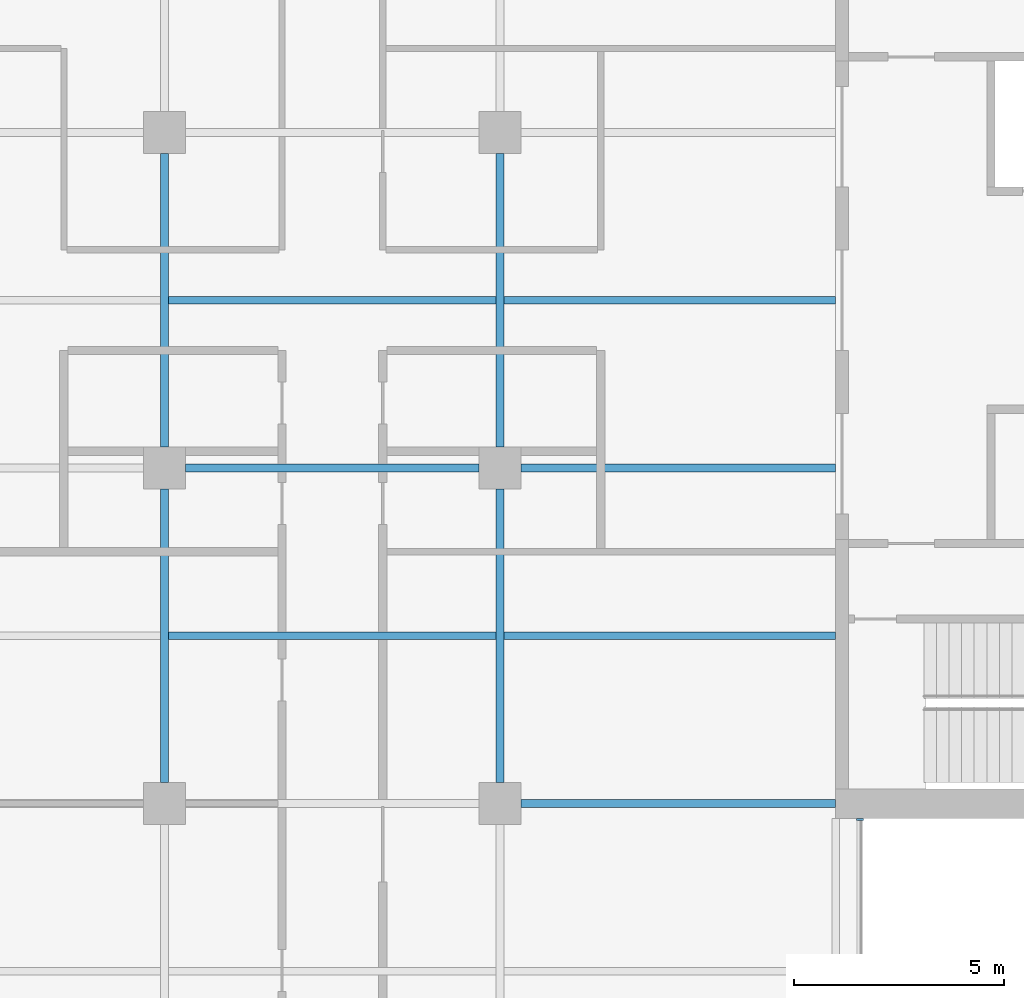
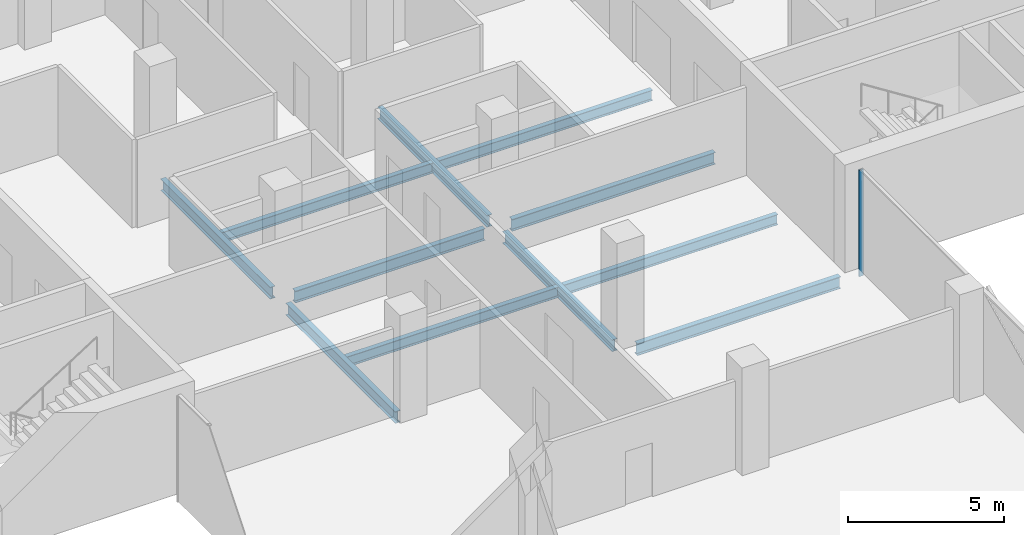
# One storey, part 6 of 22: 11 beams, 1 member, 1 element without a shape of its own.
"""IFC4 building model written with IfcOpenShell, lengths in metres."""

from ifc_helpers import new_model, si_unit, direction, frame, origin, origin_2d, place, context, subcontext, project, spatial, rectangle, i_section, extrude, material, material_profile, profile_set, type_object, element, aggregate, save


model = new_model("IFC4")

# Units and contexts
model_context = context("Model", 3, precision=1e-05, world=origin(), true_north=direction((0.0, 1.0)))
body_context = subcontext(model_context, "Body", "Model", "MODEL_VIEW")
ifc_project = project(units=[si_unit("LENGTHUNIT", "METRE"), si_unit("AREAUNIT", "SQUARE_METRE"), si_unit("VOLUMEUNIT", "CUBIC_METRE"), si_unit("PLANEANGLEUNIT", "RADIAN"), si_unit("MASSUNIT", "GRAM", prefix="KILO")], contexts=[model_context])

# Site, building, storey
site_placement = place(None, origin())
site = spatial("IfcSite", under=ifc_project, at=site_placement, CompositionType="ELEMENT")
building_placement = place(site_placement, origin())
building = spatial("IfcBuilding", under=site, at=building_placement, Name="Crosswind Convention Tower", CompositionType="ELEMENT")
storey_placement = place(building_placement, frame((0.0, 0.0, 154.699951171875)))
storey = spatial("IfcBuildingStorey", under=building, at=storey_placement, Name="L32", CompositionType="ELEMENT", Elevation=154.699951171875)

# Beams
ifc_material_1 = material(Name="Steel S355", Category="steel")
ifc_material_profile_1 = material_profile(ifc_material_1, i_section(OverallWidth=0.19140625, OverallDepth=0.460205078125, WebThickness=0.010009765625, FlangeThickness=0.01611328125, FilletRadius=0.01025390625, at=origin_2d()), Name="UB 457x191x82")
ifc_profile_set_1 = profile_set([ifc_material_profile_1], Name="Steel S355")
beam_type_1 = type_object("IfcBeamType", Name="Girder UB 457x191x82", PredefinedType="BEAM", material=ifc_profile_set_1)
for number, where, z_axis, x_axis, name in (
    (1, (121.0, 88.5, -0.530029296875), (0.0, 1.0, 0.0), (-1.0, 0.0, 0.0), "B3 L32 girder 5"),
    (2, (121.0, 96.5, -0.530029296875), (0.0, 1.0, 0.0), (-1.0, 0.0, 0.0), "B3 L32 girder 6"),
    (3, (121.5, 96.0, -0.530029296875), (1.0, 0.0, 0.0), (0.0, 1.0, 0.0), "B3 L32 girder 12"),
    (4, (129.0, 88.5, -0.530029296875), (0.0, 1.0, 0.0), (-1.0, 0.0, 0.0), "B3 L32 girder 18"),
    (5, (129.0, 96.5, -0.530029296875), (0.0, 1.0, 0.0), (-1.0, 0.0, 0.0), "B3 L32 girder 19"),
):
    element("IfcBeam", number, at=place(storey_placement, frame(where, z_axis=z_axis, x_axis=x_axis)), inside=storey, type_object=beam_type_1, Name=name, PredefinedType="BEAM", context=body_context, shape_type="SweptSolid", body=[
        extrude(i_section(OverallWidth=0.19140625, OverallDepth=0.460205078125, WebThickness=0.010009765625, FlangeThickness=0.01611328125, FilletRadius=0.01025390625, at=origin_2d()), origin(), (0.0, 0.0, 1.0), 7.0),
    ])
ifc_material_profile_2 = material_profile(ifc_material_1, i_section(OverallWidth=0.19189453125, OverallDepth=0.463623046875, WebThickness=0.010498046875, FlangeThickness=0.017578125, FilletRadius=0.01025390625, at=origin_2d()), Name="UB 457x191x90")
ifc_profile_set_2 = profile_set([ifc_material_profile_2], Name="Steel S355")
beam_type_2 = type_object("IfcBeamType", Name="Girder at core wall UB 457x191x90", PredefinedType="BEAM", material=ifc_profile_set_2)
for number, where, z_axis, x_axis, name in (
    (6, (129.5, 88.0, -0.53173828125), (1.0, 0.0, 0.0), (0.0, 1.0, 0.0), "B24 L32 girder at core wall 7"),
    (7, (129.5, 96.0, -0.53173828125), (1.0, 0.0, 0.0), (0.0, 1.0, 0.0), "B24 L32 girder at core wall 8"),
):
    element("IfcBeam", number, at=place(storey_placement, frame(where, z_axis=z_axis, x_axis=x_axis)), inside=storey, type_object=beam_type_2, Name=name, PredefinedType="BEAM", context=body_context, shape_type="SweptSolid", body=[
        extrude(i_section(OverallWidth=0.19189453125, OverallDepth=0.463623046875, WebThickness=0.010498046875, FlangeThickness=0.017578125, FilletRadius=0.01025390625, at=origin_2d()), origin(), (0.0, 0.0, 1.0), 7.5),
    ])

# Curtain wall, member
ifc_material_2 = material(Name="Aluminium unitised curtain wall", Category="aluminium")
curtain_wall_type = type_object("IfcCurtainWallType", Name="CORE END SLOT WALL 160", PredefinedType="USERDEFINED", material=ifc_material_2)
curtain_wall_placement = place(storey_placement, origin())
curtain_wall = element("IfcCurtainWall", 8, at=curtain_wall_placement, inside=storey, type_object=curtain_wall_type, Name="CW6 L32 S-E.1-2 slot", ObjectType="UNITISED", PredefinedType="USERDEFINED")
ifc_material_3 = material(Name="Aluminium mullion", Category="aluminium")
ifc_material_profile_3 = material_profile(ifc_material_3, rectangle(XDim=0.159912109375, YDim=0.050048828125, at=origin_2d()), Name="AL 160X50")
ifc_profile_set_3 = profile_set([ifc_material_profile_3], Name="Aluminium mullion")
member_type = type_object("IfcMemberType", Name="MULLION 50X160", PredefinedType="MULLION", material=ifc_profile_set_3)
member_placement = place(storey_placement, frame((137.580078125, 87.625, -0.300048828125), z_axis=(0.0, 0.0, 1.0), x_axis=(1.0, 0.0, 0.0)))
member = element("IfcMember", 9, at=member_placement, type_object=member_type, Name="CW6 mullion 2", PredefinedType="MULLION", context=body_context, shape_type="SweptSolid", body=[
    extrude(rectangle(XDim=0.159912109375, YDim=0.050048828125, at=origin_2d()), origin(), (0.0, 0.0, 1.0), 4.150146484375),
])
aggregate(curtain_wall, [member])

# Beams
ifc_material_profile_4 = material_profile(ifc_material_1, i_section(OverallWidth=0.177734375, OverallDepth=0.406494140625, WebThickness=0.0078125, FlangeThickness=0.0126953125, FilletRadius=0.01025390625, at=origin_2d()), Name="UB 406x178x60")
ifc_profile_set_4 = profile_set([ifc_material_profile_4], Name="Steel S355")
beam_type_3 = type_object("IfcBeamType", Name="Secondary beam UB 406x178x60", PredefinedType="JOIST", material=ifc_profile_set_4)
for number, where, z_axis, x_axis, name in (
    (10, (121.095703125, 92.0, -0.503173828125), (1.0, 0.0, 0.0), (0.0, 1.0, 0.0), "B10 L32 secondary beam 13"),
    (11, (121.095703125, 100.0, -0.503173828125), (1.0, 0.0, 0.0), (0.0, 1.0, 0.0), "B10 L32 secondary beam 14"),
):
    element("IfcBeam", number, at=place(storey_placement, frame(where, z_axis=z_axis, x_axis=x_axis)), inside=storey, type_object=beam_type_3, Name=name, PredefinedType="JOIST", context=body_context, shape_type="SweptSolid", body=[
        extrude(i_section(OverallWidth=0.177734375, OverallDepth=0.406494140625, WebThickness=0.0078125, FlangeThickness=0.0126953125, FilletRadius=0.01025390625, at=origin_2d()), origin(), (0.0, 0.0, 1.0), 7.80859375),
    ])
for number, where, z_axis, x_axis, name in (
    (12, (129.095703125, 92.0, -0.503173828125), (1.0, 0.0, 0.0), (0.0, 1.0, 0.0), "B10 L32 secondary beam 20"),
    (13, (129.095703125, 100.0, -0.503173828125), (1.0, 0.0, 0.0), (0.0, 1.0, 0.0), "B10 L32 secondary beam 21"),
):
    element("IfcBeam", number, at=place(storey_placement, frame(where, z_axis=z_axis, x_axis=x_axis)), inside=storey, type_object=beam_type_3, Name=name, PredefinedType="JOIST", context=body_context, shape_type="SweptSolid", body=[
        extrude(i_section(OverallWidth=0.177734375, OverallDepth=0.406494140625, WebThickness=0.0078125, FlangeThickness=0.0126953125, FilletRadius=0.01025390625, at=origin_2d()), origin(), (0.0, 0.0, 1.0), 7.904296875),
    ])

save(model, "model.ifc")
